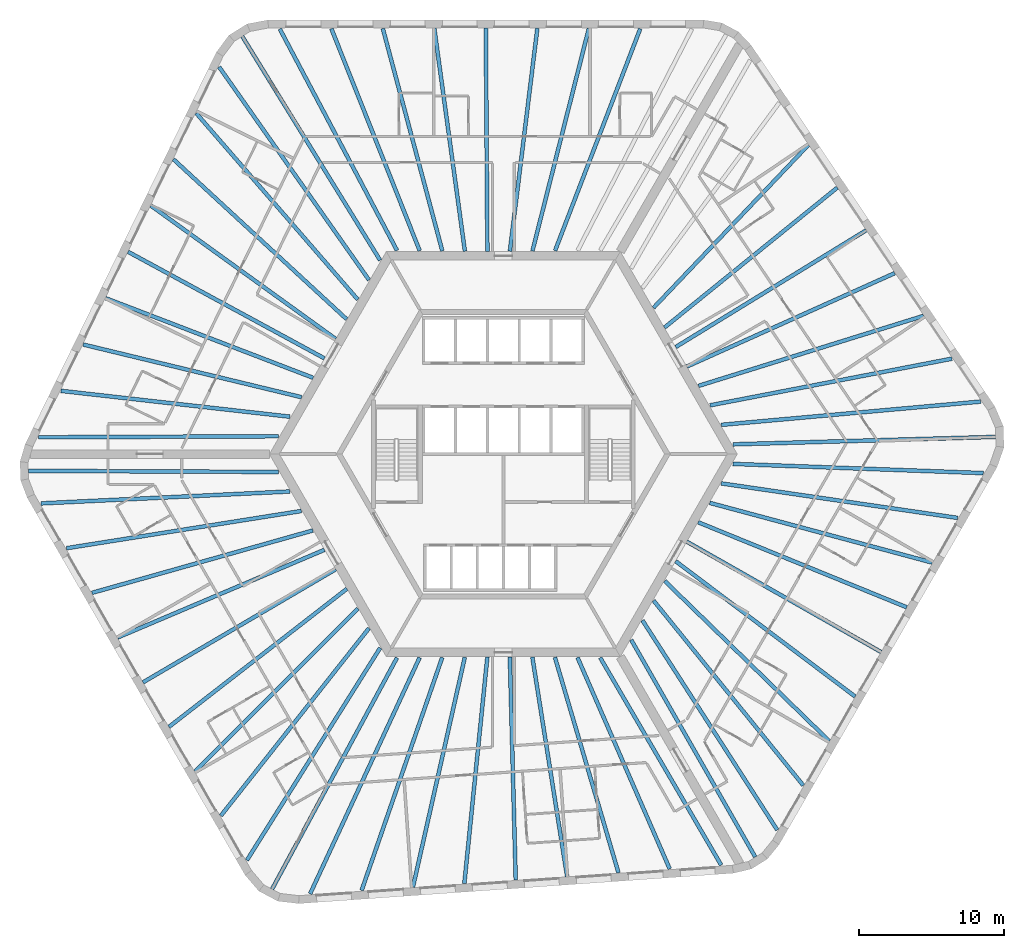
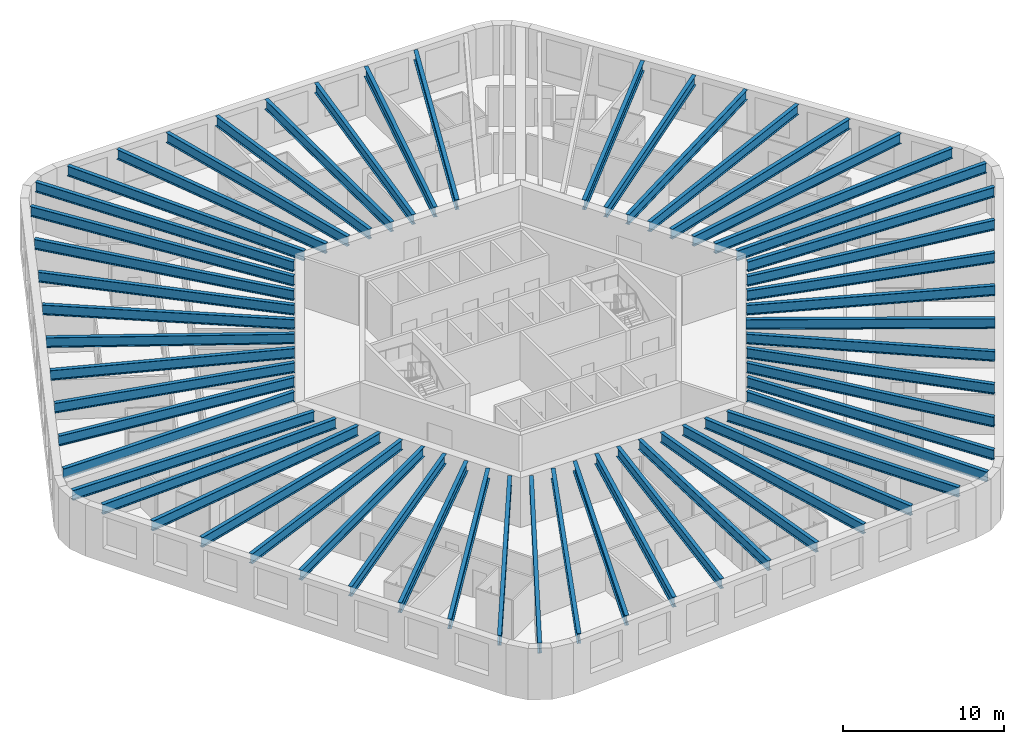
# One storey, part 1 of 11: 56 beams.
"""IFC4 building model written with IfcOpenShell, lengths in metres."""

import ifcopenshell
import ifcopenshell.guid

model = None  # the IFC model being written
_history = None  # IfcOwnerHistory: only IFC2X3 demands one
_inside = {}  # id of a spatial element -> (the spatial element, [elements in it])
_under = {}  # id of a project, library or spatial element -> (it, [spatial elements below it])
_declared = {}  # id of a project -> (the project, [libraries it declares])
_typed = {}  # id of a type object -> (the type object, [elements of that type])
_made_of = {}  # id of a material, layer set ... -> (it, [elements and type objects made of it])


def new_model(schema):
    """Start an empty IFC model of exactly this schema.

    Asked for "IFC4X3", IfcOpenShell would pick the latest addendum, in which some entities
    have other attributes; the version numbers below select the first issue.
    IFC2X3 requires an IfcOwnerHistory on every rooted entity: one is made here for all.
    """
    global model, _history
    if schema == "IFC4X3":
        model = ifcopenshell.file(schema_version=(4, 3, 0, 0))
    else:
        model = ifcopenshell.file(schema=schema)
    _inside.clear()
    _under.clear()
    _declared.clear()
    _typed.clear()
    _made_of.clear()
    _history = None
    if model.schema == "IFC2X3":
        org = make("IfcOrganization", Name="unknown")
        user = make(
            "IfcPersonAndOrganization",
            ThePerson=make("IfcPerson", FamilyName="unknown"),
            TheOrganization=org,
        )
        app = make(
            "IfcApplication",
            ApplicationDeveloper=org,
            Version="unknown",
            ApplicationFullName="unknown",
            ApplicationIdentifier="unknown",
        )
        _history = make(
            "IfcOwnerHistory",
            OwningUser=user,
            OwningApplication=app,
            ChangeAction="ADDED",
            CreationDate=0,
        )
    return model


def make(cls, **values):
    """One entity of the class cls with the attributes given. An attribute that is None is left unset."""
    return model.create_entity(
        cls, **{name: value for name, value in values.items() if value is not None}
    )


def rooted(cls, **values):
    """An entity with a GlobalId (a new one), such as an element, a storey or a relation."""
    return make(cls, GlobalId=ifcopenshell.guid.new(), OwnerHistory=_history, **values)


def si_unit(unit_type, name, prefix=None):
    """IfcSIUnit, for example si_unit("LENGTHUNIT", "METRE", prefix="MILLI")."""
    return make("IfcSIUnit", UnitType=unit_type, Prefix=prefix, Name=name)


def assignment(units):
    """IfcUnitAssignment: the units of a project."""
    return None if units is None else make("IfcUnitAssignment", Units=units)


def point(xyz):
    """IfcCartesianPoint."""
    return None if xyz is None else make("IfcCartesianPoint", Coordinates=xyz)


def direction(xyz):
    """IfcDirection."""
    return None if xyz is None else make("IfcDirection", DirectionRatios=xyz)


def frame(location, z_axis=None, x_axis=None):
    """IfcAxis2Placement3D, a coordinate frame: its origin and axes. An axis left out is left unset."""
    return make(
        "IfcAxis2Placement3D",
        Location=point(location),
        Axis=direction(z_axis),
        RefDirection=direction(x_axis),
    )


def frame_2d(location, x_axis=None):
    """IfcAxis2Placement2D, a coordinate frame in the plane: its origin and x axis."""
    return make(
        "IfcAxis2Placement2D", Location=point(location), RefDirection=direction(x_axis)
    )


def origin():
    """The frame at (0, 0, 0) with its axes left unset."""
    return frame((0.0, 0.0, 0.0))


def origin_2d():
    """The frame at (0, 0) in the plane with its x axis left unset."""
    return frame_2d((0.0, 0.0))


def place(relative_to, where):
    """IfcLocalPlacement: puts the frame where relative to a parent placement (None: the world)."""
    return make(
        "IfcLocalPlacement", PlacementRelTo=relative_to, RelativePlacement=where
    )


def context(
    kind, dimensions, precision=None, world=None, true_north=None, identifier=None
):
    """IfcGeometricRepresentationContext, for example the 3D "Model" context."""
    return make(
        "IfcGeometricRepresentationContext",
        ContextIdentifier=identifier,
        ContextType=kind,
        CoordinateSpaceDimension=dimensions,
        Precision=precision,
        WorldCoordinateSystem=world,
        TrueNorth=true_north,
    )


def subcontext(parent, identifier, kind, view, scale=None):
    """IfcGeometricRepresentationSubContext, for example "Body" below "Model"."""
    return make(
        "IfcGeometricRepresentationSubContext",
        ContextIdentifier=identifier,
        ContextType=kind,
        ParentContext=parent,
        TargetScale=scale,
        TargetView=view,
    )


def project(units=None, contexts=None):
    """IfcProject with its units and contexts."""
    return rooted(
        "IfcProject",
        Name="project",
        RepresentationContexts=contexts,
        UnitsInContext=assignment(units),
    )


def spatial(cls, under=None, at=None, **own):
    """A site, building, storey or space (cls), placed at a placement, below another one or the project."""
    s = rooted(cls, ObjectPlacement=at, **own)
    if under is not None:
        _under.setdefault(under.id(), (under, []))[1].append(s)
    return s


def profile(cls, at=None, kind="AREA", **sizes):
    """A parametric profile (cls). Its sizes go by their IFC names, for example OverallWidth=200.0."""
    return make(cls, ProfileType=kind, Position=at, **sizes)


def i_section(**sizes):
    """IfcIShapeProfileDef."""
    return profile("IfcIShapeProfileDef", **sizes)


def extrude(swept, where, along, depth):
    """IfcExtrudedAreaSolid: the profile swept, set in the frame where, extruded along a direction by depth."""
    return make(
        "IfcExtrudedAreaSolid",
        SweptArea=swept,
        Position=where,
        ExtrudedDirection=direction(along),
        Depth=depth,
    )


def shape(context_of_items, identifier, shape_type, items):
    """IfcShapeRepresentation: the items that make up one representation, for example the "Body"."""
    return make(
        "IfcShapeRepresentation",
        ContextOfItems=context_of_items,
        RepresentationIdentifier=identifier,
        RepresentationType=shape_type,
        Items=items,
    )


def material(Name=None, Category=None):
    """IfcMaterial."""
    return make("IfcMaterial", Name=Name, Category=Category)


def material_profile(
    of_material, cross_section, Name=None, Category=None, Priority=None
):
    """IfcMaterialProfile: a cross section and its material."""
    return make(
        "IfcMaterialProfile",
        Name=Name,
        Material=of_material,
        Profile=cross_section,
        Priority=Priority,
        Category=Category,
    )


def profile_set(profiles, Name=None, composite=None):
    """IfcMaterialProfileSet."""
    return make(
        "IfcMaterialProfileSet",
        Name=Name,
        MaterialProfiles=profiles,
        CompositeProfile=composite,
    )


def made_of(thing, what):
    """Note that an element or type object is made of a material, layer set ...; save() writes the relation."""
    if what is not None:
        _made_of.setdefault(what.id(), (what, []))[1].append(thing)
    return thing


def type_object(cls, material=None, **own):
    """A type object (cls), such as IfcWallType, which elements share."""
    return made_of(rooted(cls, **own), material)


def element(
    cls,
    number,
    at=None,
    inside=None,
    cuts=None,
    type_object=None,
    material=None,
    context=None,
    identifier="Body",
    shape_type=None,
    held_by="IfcProductDefinitionShape",
    body=None,
    shapes=None,
    **own,
):
    """One element of the class cls, such as IfcWall. Its Tag is "e" and its number.

    at: its placement. inside: the storey or other place that contains it. cuts: it is an
    opening in that element (IfcRelVoidsElement). A single representation is given by context,
    identifier, shape_type and body (its items); several are given by shapes. held_by: the class
    of the entity that holds the representations. save() writes the other relations.
    """
    e = rooted(cls, Tag="e%d" % number, ObjectPlacement=at, **own)
    if body is not None:
        shapes = [shape(context, identifier, shape_type, body)]
    if shapes is not None:
        e.Representation = make(held_by, Representations=shapes)
    if inside is not None:
        _inside.setdefault(inside.id(), (inside, []))[1].append(e)
    if cuts is not None:
        rooted(
            "IfcRelVoidsElement", RelatingBuildingElement=cuts, RelatedOpeningElement=e
        )
    if type_object is not None:
        _typed.setdefault(type_object.id(), (type_object, []))[1].append(e)
    return made_of(e, material)


def aggregate(whole, parts):
    """IfcRelAggregates: a whole, such as a stair, and the parts it consists of."""
    return rooted("IfcRelAggregates", RelatingObject=whole, RelatedObjects=parts)


def save(model, path):
    """Write the relations noted so far, then the file.

    IfcRelAggregates (storeys below a building ...), IfcRelContainedInSpatialStructure (elements
    in a storey), IfcRelDefinesByType, IfcRelAssociatesMaterial and IfcRelDeclares: one each for
    every whole, place, type object, material and project.
    """
    for whole, parts in _under.values():
        aggregate(whole, parts)
    for where, things in _inside.values():
        rooted(
            "IfcRelContainedInSpatialStructure",
            RelatedElements=things,
            RelatingStructure=where,
        )
    for kind, things in _typed.values():
        rooted("IfcRelDefinesByType", RelatedObjects=things, RelatingType=kind)
    for what, things in _made_of.values():
        rooted("IfcRelAssociatesMaterial", RelatedObjects=things, RelatingMaterial=what)
    for by, libraries in _declared.values():
        rooted("IfcRelDeclares", RelatingContext=by, RelatedDefinitions=libraries)
    model.write(path)


model = new_model("IFC4")

# Units and contexts
model_context = context("Model", 3, precision=1e-05, world=origin(), true_north=direction((0.0, 1.0)))
body_context = subcontext(model_context, "Body", "Model", "MODEL_VIEW")
ifc_project = project(units=[si_unit("LENGTHUNIT", "METRE"), si_unit("AREAUNIT", "SQUARE_METRE"), si_unit("VOLUMEUNIT", "CUBIC_METRE"), si_unit("PLANEANGLEUNIT", "RADIAN"), si_unit("MASSUNIT", "GRAM", prefix="KILO")], contexts=[model_context])

# Site, building, storey
site_placement = place(None, origin())
site = spatial("IfcSite", under=ifc_project, at=site_placement, CompositionType="ELEMENT")
building_placement = place(site_placement, origin())
building = spatial("IfcBuilding", under=site, at=building_placement, Name="Tarnside Tower", CompositionType="ELEMENT")
storey_placement = place(building_placement, frame((0.0, 0.0, 41.39990234375)))
storey = spatial("IfcBuildingStorey", under=building, at=storey_placement, Name="L07", CompositionType="ELEMENT", Elevation=41.39990234375)

# Beams
ifc_material = material(Name="Steel S355", Category="steel")
ifc_material_profile_1 = material_profile(ifc_material, i_section(OverallWidth=0.26513671875, OverallDepth=0.75390625, WebThickness=0.0126953125, FlangeThickness=0.017578125, FilletRadius=0.0166015625, at=origin_2d()), Name="UB 762x267x147")
ifc_profile_set_1 = profile_set([ifc_material_profile_1], Name="Steel S355")
beam_type_1 = type_object("IfcBeamType", Name="Floor beam UB 762x267x147", PredefinedType="BEAM", material=ifc_profile_set_1)
beam_1_placement = place(storey_placement, frame((2.3525390625, 29.43017578125, 3.373046875), z_axis=(-0.122329629165, -0.992489527314, 0.0), x_axis=(0.992489527314, -0.122329629165, 0.0)))
element("IfcBeam", 1, at=beam_1_placement, inside=storey, type_object=beam_type_1, Name="Floor beam F1.04", PredefinedType="BEAM", context=body_context, shape_type="SweptSolid", body=[
    extrude(i_section(OverallWidth=0.26513671875, OverallDepth=0.75390625, WebThickness=0.0126953125, FlangeThickness=0.017578125, FilletRadius=0.0166015625, at=origin_2d()), origin(), (0.0, 0.0, 1.0), 15.527099609375),
])
beam_2_placement = place(storey_placement, frame((-1.208984375, 29.449951171875, 3.373046875), z_axis=(0.007000128723, -0.999975498799, 0.0), x_axis=(0.999975498799, 0.007000128723, 0.0)))
element("IfcBeam", 2, at=beam_2_placement, inside=storey, type_object=beam_type_1, Name="Floor beam F1.05", PredefinedType="BEAM", context=body_context, shape_type="SweptSolid", body=[
    extrude(i_section(OverallWidth=0.26513671875, OverallDepth=0.75390625, WebThickness=0.0126953125, FlangeThickness=0.017578125, FilletRadius=0.0166015625, at=origin_2d()), origin(), (0.0, 0.0, 1.0), 15.450439453125),
])
beam_3_placement = place(storey_placement, frame((-4.7705078125, 29.43017578125, 3.373046875), z_axis=(0.136000560933, -0.990708760144, 0.0), x_axis=(0.990708760144, 0.136000560933, 0.0)))
element("IfcBeam", 3, at=beam_3_placement, inside=storey, type_object=beam_type_1, Name="Floor beam F1.06", PredefinedType="BEAM", context=body_context, shape_type="SweptSolid", body=[
    extrude(i_section(OverallWidth=0.26513671875, OverallDepth=0.75390625, WebThickness=0.0126953125, FlangeThickness=0.017578125, FilletRadius=0.0166015625, at=origin_2d()), origin(), (0.0, 0.0, 1.0), 15.554931640625),
])
beam_4_placement = place(storey_placement, frame((-24.348876953125, 17.168212890625, 3.373046875), z_axis=(0.811027744825, -0.585007689799, 0.0), x_axis=(0.585007689799, 0.811027744825, 0.0)))
element("IfcBeam", 4, at=beam_4_placement, inside=storey, type_object=beam_type_1, Name="Floor beam F2.04", PredefinedType="BEAM", context=body_context, shape_type="SweptSolid", body=[
    extrude(i_section(OverallWidth=0.26513671875, OverallDepth=0.75390625, WebThickness=0.0126953125, FlangeThickness=0.017578125, FilletRadius=0.0166015625, at=origin_2d()), origin(), (0.0, 0.0, 1.0), 15.731689453125),
])
beam_5_placement = place(storey_placement, frame((-25.92626953125, 13.978271484375, 3.373046875), z_axis=(0.878894567679, -0.477016078245, 0.0), x_axis=(0.477016078245, 0.878894567679, 0.0)))
element("IfcBeam", 5, at=beam_5_placement, inside=storey, type_object=beam_type_1, Name="Floor beam F2.05", PredefinedType="BEAM", context=body_context, shape_type="SweptSolid", body=[
    extrude(i_section(OverallWidth=0.26513671875, OverallDepth=0.75390625, WebThickness=0.0126953125, FlangeThickness=0.017578125, FilletRadius=0.0166015625, at=origin_2d()), origin(), (0.0, 0.0, 1.0), 15.427490234375),
])
beam_6_placement = place(storey_placement, frame((-27.487548828125, 10.77734375, 3.373046875), z_axis=(0.933617702452, -0.358270827264, 0.0), x_axis=(0.358270827264, 0.933617702452, 0.0)))
element("IfcBeam", 6, at=beam_6_placement, inside=storey, type_object=beam_type_1, Name="Floor beam F2.06", PredefinedType="BEAM", context=body_context, shape_type="SweptSolid", body=[
    extrude(i_section(OverallWidth=0.26513671875, OverallDepth=0.75390625, WebThickness=0.0126953125, FlangeThickness=0.017578125, FilletRadius=0.0166015625, at=origin_2d()), origin(), (0.0, 0.0, 1.0), 15.363037109375),
])
beam_7_placement = place(storey_placement, frame((-29.029296875, 7.572509765625, 3.373046875), z_axis=(0.972101750991, -0.234559556873, 0.0), x_axis=(0.234559556873, 0.972101750991, 0.0)))
element("IfcBeam", 7, at=beam_7_placement, inside=storey, type_object=beam_type_1, Name="Floor beam F2.07", PredefinedType="BEAM", context=body_context, shape_type="SweptSolid", body=[
    extrude(i_section(OverallWidth=0.26513671875, OverallDepth=0.75390625, WebThickness=0.0126953125, FlangeThickness=0.017578125, FilletRadius=0.0166015625, at=origin_2d()), origin(), (0.0, 0.0, 1.0), 15.522216796875),
])
beam_8_placement = place(storey_placement, frame((-26.66357421875, -12.677734375, 3.373046875), z_axis=(0.920684021494, 0.390308765679, 0.0), x_axis=(-0.390308765679, 0.920684021494, 0.0)))
element("IfcBeam", 8, at=beam_8_placement, inside=storey, type_object=beam_type_1, Name="Floor beam F3.04", PredefinedType="BEAM", context=body_context, shape_type="SweptSolid", body=[
    extrude(i_section(OverallWidth=0.26513671875, OverallDepth=0.75390625, WebThickness=0.0126953125, FlangeThickness=0.017578125, FilletRadius=0.0166015625, at=origin_2d()), origin(), (0.0, 0.0, 1.0), 15.52685546875),
])
beam_9_placement = place(storey_placement, frame((-24.89990234375, -15.772216796875, 3.373046875), z_axis=(0.862497502004, 0.506061319443, 0.0), x_axis=(-0.506061319443, 0.862497502004, 0.0)))
element("IfcBeam", 9, at=beam_9_placement, inside=storey, type_object=beam_type_1, Name="Floor beam F3.05", PredefinedType="BEAM", context=body_context, shape_type="SweptSolid", body=[
    extrude(i_section(OverallWidth=0.26513671875, OverallDepth=0.75390625, WebThickness=0.0126953125, FlangeThickness=0.017578125, FilletRadius=0.0166015625, at=origin_2d()), origin(), (0.0, 0.0, 1.0), 15.450439453125),
])
beam_10_placement = place(storey_placement, frame((-23.10205078125, -18.846435546875, 3.373046875), z_axis=(0.789983963813, 0.613127504617, 0.0), x_axis=(-0.613127504617, 0.789983963813, 0.0)))
element("IfcBeam", 10, at=beam_10_placement, inside=storey, type_object=beam_type_1, Name="Floor beam F3.06", PredefinedType="BEAM", context=body_context, shape_type="SweptSolid", body=[
    extrude(i_section(OverallWidth=0.26513671875, OverallDepth=0.75390625, WebThickness=0.0126953125, FlangeThickness=0.017578125, FilletRadius=0.0166015625, at=origin_2d()), origin(), (0.0, 0.0, 1.0), 15.554931640625),
])
beam_11_placement = place(storey_placement, frame((-2.693603515625, -29.6708984375, 3.373046875), z_axis=(0.101123115756, 0.994873919379, 0.0), x_axis=(-0.994873919379, 0.101123115756, 0.0)))
element("IfcBeam", 11, at=beam_11_placement, inside=storey, type_object=beam_type_1, Name="Floor beam F4.04", PredefinedType="BEAM", context=body_context, shape_type="SweptSolid", body=[
    extrude(i_section(OverallWidth=0.26513671875, OverallDepth=0.75390625, WebThickness=0.0126953125, FlangeThickness=0.017578125, FilletRadius=0.0166015625, at=origin_2d()), origin(), (0.0, 0.0, 1.0), 15.7314453125),
])
beam_12_placement = place(storey_placement, frame((0.857666015625, -29.44189453125, 3.373046875), z_axis=(-0.026333316788, 0.999653218085, 0.0), x_axis=(-0.999653218085, -0.026333316788, 0.0)))
element("IfcBeam", 12, at=beam_12_placement, inside=storey, type_object=beam_type_1, Name="Floor beam F4.05", PredefinedType="BEAM", context=body_context, shape_type="SweptSolid", body=[
    extrude(i_section(OverallWidth=0.26513671875, OverallDepth=0.75390625, WebThickness=0.0126953125, FlangeThickness=0.017578125, FilletRadius=0.0166015625, at=origin_2d()), origin(), (0.0, 0.0, 1.0), 15.42724609375),
])
beam_13_placement = place(storey_placement, frame((4.41015625, -29.193603515625, 3.373046875), z_axis=(-0.156513375907, 0.98767583911, 0.0), x_axis=(-0.98767583911, -0.156513375907, 0.0)))
element("IfcBeam", 13, at=beam_13_placement, inside=storey, type_object=beam_type_1, Name="Floor beam F4.06", PredefinedType="BEAM", context=body_context, shape_type="SweptSolid", body=[
    extrude(i_section(OverallWidth=0.26513671875, OverallDepth=0.75390625, WebThickness=0.0126953125, FlangeThickness=0.017578125, FilletRadius=0.0166015625, at=origin_2d()), origin(), (0.0, 0.0, 1.0), 15.36328125),
])
beam_14_placement = place(storey_placement, frame((7.956787109375, -28.926513671875, 3.373046875), z_axis=(-0.282920694328, 0.959143305623, 0.0), x_axis=(-0.959143305623, -0.282920694328, 0.0)))
element("IfcBeam", 14, at=beam_14_placement, inside=storey, type_object=beam_type_1, Name="Floor beam F4.07", PredefinedType="BEAM", context=body_context, shape_type="SweptSolid", body=[
    extrude(i_section(OverallWidth=0.26513671875, OverallDepth=0.75390625, WebThickness=0.0126953125, FlangeThickness=0.017578125, FilletRadius=0.0166015625, at=origin_2d()), origin(), (0.0, 0.0, 1.0), 15.5224609375),
])
beam_15_placement = place(storey_placement, frame((24.31103515625, -16.75244140625, 3.373046875), z_axis=(-0.798361152727, 0.602178935049, 0.0), x_axis=(-0.602178935049, -0.798361152727, 0.0)))
element("IfcBeam", 15, at=beam_15_placement, inside=storey, type_object=beam_type_1, Name="Floor beam F5.04", PredefinedType="BEAM", context=body_context, shape_type="SweptSolid", body=[
    extrude(i_section(OverallWidth=0.26513671875, OverallDepth=0.75390625, WebThickness=0.0126953125, FlangeThickness=0.017578125, FilletRadius=0.0166015625, at=origin_2d()), origin(), (0.0, 0.0, 1.0), 15.527099609375),
])
beam_16_placement = place(storey_placement, frame((26.10888671875, -13.677978515625, 3.373046875), z_axis=(-0.869502520992, 0.493928502911, 0.0), x_axis=(-0.493928502911, -0.869502520992, 0.0)))
element("IfcBeam", 16, at=beam_16_placement, inside=storey, type_object=beam_type_1, Name="Floor beam F5.05", PredefinedType="BEAM", context=body_context, shape_type="SweptSolid", body=[
    extrude(i_section(OverallWidth=0.26513671875, OverallDepth=0.75390625, WebThickness=0.0126953125, FlangeThickness=0.017578125, FilletRadius=0.0166015625, at=origin_2d()), origin(), (0.0, 0.0, 1.0), 15.4501953125),
])
beam_17_placement = place(storey_placement, frame((27.87255859375, -10.58349609375, 3.373046875), z_axis=(-0.925981621163, 0.377568586177, 0.0), x_axis=(-0.377568586177, -0.925981621163, 0.0)))
element("IfcBeam", 17, at=beam_17_placement, inside=storey, type_object=beam_type_1, Name="Floor beam F5.06", PredefinedType="BEAM", context=body_context, shape_type="SweptSolid", body=[
    extrude(i_section(OverallWidth=0.26513671875, OverallDepth=0.75390625, WebThickness=0.0126953125, FlangeThickness=0.017578125, FilletRadius=0.0166015625, at=origin_2d()), origin(), (0.0, 0.0, 1.0), 15.554931640625),
])
beam_18_placement = place(storey_placement, frame((27.04248046875, 12.502685546875, 3.373046875), z_axis=(-0.912146413919, -0.409864513681, 0.0), x_axis=(0.409864513681, -0.912146413919, 0.0)))
element("IfcBeam", 18, at=beam_18_placement, inside=storey, type_object=beam_type_1, Name="Floor beam F6.04", PredefinedType="BEAM", context=body_context, shape_type="SweptSolid", body=[
    extrude(i_section(OverallWidth=0.26513671875, OverallDepth=0.75390625, WebThickness=0.0126953125, FlangeThickness=0.017578125, FilletRadius=0.0166015625, at=origin_2d()), origin(), (0.0, 0.0, 1.0), 15.7314453125),
])
beam_19_placement = place(storey_placement, frame((25.068603515625, 15.463623046875, 3.373046875), z_axis=(-0.852558490017, -0.522631821744, 0.0), x_axis=(0.522631821744, -0.852558490017, 0.0)))
element("IfcBeam", 19, at=beam_19_placement, inside=storey, type_object=beam_type_1, Name="Floor beam F6.05", PredefinedType="BEAM", context=body_context, shape_type="SweptSolid", body=[
    extrude(i_section(OverallWidth=0.26513671875, OverallDepth=0.75390625, WebThickness=0.0126953125, FlangeThickness=0.017578125, FilletRadius=0.0166015625, at=origin_2d()), origin(), (0.0, 0.0, 1.0), 15.42724609375),
])
beam_20_placement = place(storey_placement, frame((23.0771484375, 18.416259765625, 3.373046875), z_axis=(-0.777079423039, -0.629402550272, 0.0), x_axis=(0.629402550272, -0.777079423039, 0.0)))
element("IfcBeam", 20, at=beam_20_placement, inside=storey, type_object=beam_type_1, Name="Floor beam F6.06", PredefinedType="BEAM", context=body_context, shape_type="SweptSolid", body=[
    extrude(i_section(OverallWidth=0.26513671875, OverallDepth=0.75390625, WebThickness=0.0126953125, FlangeThickness=0.017578125, FilletRadius=0.0166015625, at=origin_2d()), origin(), (0.0, 0.0, 1.0), 15.36328125),
])
beam_21_placement = place(storey_placement, frame((21.072509765625, 21.35400390625, 3.373046875), z_axis=(-0.689174694318, -0.724595225427, 0.0), x_axis=(0.724595225427, -0.689174694318, 0.0)))
element("IfcBeam", 21, at=beam_21_placement, inside=storey, type_object=beam_type_1, Name="Floor beam F6.07", PredefinedType="BEAM", context=body_context, shape_type="SweptSolid", body=[
    extrude(i_section(OverallWidth=0.26513671875, OverallDepth=0.75390625, WebThickness=0.0126953125, FlangeThickness=0.017578125, FilletRadius=0.0166015625, at=origin_2d()), origin(), (0.0, 0.0, 1.0), 15.522216796875),
])
ifc_material_profile_2 = material_profile(ifc_material, i_section(OverallWidth=0.2666015625, OverallDepth=0.76220703125, WebThickness=0.014404296875, FlangeThickness=0.021484375, FilletRadius=0.0166015625, at=origin_2d()), Name="UB 762x267x173")
ifc_profile_set_2 = profile_set([ifc_material_profile_2], Name="Steel S355")
beam_type_2 = type_object("IfcBeamType", Name="Floor beam UB 762x267x173", PredefinedType="BEAM", material=ifc_profile_set_2)
beam_22_placement = place(storey_placement, frame((9.4619140625, 29.39404296875, 3.368896484375), z_axis=(-0.358299847269, -0.933606565662, 0.0), x_axis=(0.933606565662, -0.358299847269, 0.0)))
element("IfcBeam", 22, at=beam_22_placement, inside=storey, type_object=beam_type_2, Name="Floor beam F1.02", PredefinedType="BEAM", context=body_context, shape_type="SweptSolid", body=[
    extrude(i_section(OverallWidth=0.2666015625, OverallDepth=0.76220703125, WebThickness=0.014404296875, FlangeThickness=0.021484375, FilletRadius=0.0166015625, at=origin_2d()), origin(), (0.0, 0.0, 1.0), 16.428955078125),
])
beam_23_placement = place(storey_placement, frame((5.909423828125, 29.4111328125, 3.368896484375), z_axis=(-0.245747281389, -0.969333933013, 0.0), x_axis=(0.969333933013, -0.245747281389, 0.0)))
element("IfcBeam", 23, at=beam_23_placement, inside=storey, type_object=beam_type_2, Name="Floor beam F1.03", PredefinedType="BEAM", context=body_context, shape_type="SweptSolid", body=[
    extrude(i_section(OverallWidth=0.2666015625, OverallDepth=0.76220703125, WebThickness=0.014404296875, FlangeThickness=0.021484375, FilletRadius=0.0166015625, at=origin_2d()), origin(), (0.0, 0.0, 1.0), 15.858642578125),
])
beam_24_placement = place(storey_placement, frame((-8.3271484375, 29.411376953125, 3.368896484375), z_axis=(0.258447478572, -0.966025310652, 0.0), x_axis=(0.966025310652, 0.258447478572, 0.0)))
element("IfcBeam", 24, at=beam_24_placement, inside=storey, type_object=beam_type_2, Name="Floor beam F1.07", PredefinedType="BEAM", context=body_context, shape_type="SweptSolid", body=[
    extrude(i_section(OverallWidth=0.2666015625, OverallDepth=0.76220703125, WebThickness=0.014404296875, FlangeThickness=0.021484375, FilletRadius=0.0166015625, at=origin_2d()), origin(), (0.0, 0.0, 1.0), 15.91357421875),
])
beam_25_placement = place(storey_placement, frame((-11.87939453125, 29.394287109375, 3.368896484375), z_axis=(0.369638204477, -0.929175762593, 0.0), x_axis=(0.929175762593, 0.369638204477, 0.0)))
element("IfcBeam", 25, at=beam_25_placement, inside=storey, type_object=beam_type_2, Name="Floor beam F1.08", PredefinedType="BEAM", context=body_context, shape_type="SweptSolid", body=[
    extrude(i_section(OverallWidth=0.2666015625, OverallDepth=0.76220703125, WebThickness=0.014404296875, FlangeThickness=0.021484375, FilletRadius=0.0166015625, at=origin_2d()), origin(), (0.0, 0.0, 1.0), 16.507568359375),
])
beam_26_placement = place(storey_placement, frame((-15.44580078125, 29.37939453125, 3.368896484375), z_axis=(0.467741993634, -0.883865050441, 0.0), x_axis=(0.883865050441, 0.467741993634, 0.0)))
element("IfcBeam", 26, at=beam_26_placement, inside=storey, type_object=beam_type_2, Name="Floor beam F1.09", PredefinedType="BEAM", context=body_context, shape_type="SweptSolid", body=[
    extrude(i_section(OverallWidth=0.2666015625, OverallDepth=0.76220703125, WebThickness=0.014404296875, FlangeThickness=0.021484375, FilletRadius=0.0166015625, at=origin_2d()), origin(), (0.0, 0.0, 1.0), 17.320068359375),
])
beam_27_placement = place(storey_placement, frame((-18.042236328125, 28.8701171875, 3.368896484375), z_axis=(0.524382977035, -0.851482526771, 0.0), x_axis=(0.851482526771, 0.524382977035, 0.0)))
element("IfcBeam", 27, at=beam_27_placement, inside=storey, type_object=beam_type_2, Name="Floor beam C1", PredefinedType="BEAM", context=body_context, shape_type="SweptSolid", body=[
    extrude(i_section(OverallWidth=0.2666015625, OverallDepth=0.76220703125, WebThickness=0.014404296875, FlangeThickness=0.021484375, FilletRadius=0.0166015625, at=origin_2d()), origin(), (0.0, 0.0, 1.0), 18.1728515625),
])
beam_28_placement = place(storey_placement, frame((-19.638671875, 26.75537109375, 3.368896484375), z_axis=(0.575411427849, -0.817864101609, 0.0), x_axis=(0.817864101609, 0.575411427849, 0.0)))
element("IfcBeam", 28, at=beam_28_placement, inside=storey, type_object=beam_type_2, Name="Floor beam F2.01", PredefinedType="BEAM", context=body_context, shape_type="SweptSolid", body=[
    extrude(i_section(OverallWidth=0.2666015625, OverallDepth=0.76220703125, WebThickness=0.014404296875, FlangeThickness=0.021484375, FilletRadius=0.0166015625, at=origin_2d()), origin(), (0.0, 0.0, 1.0), 18.00048828125),
])
beam_29_placement = place(storey_placement, frame((-21.21630859375, 23.554931640625, 3.368896484375), z_axis=(0.654980748073, -0.755645564834, 0.0), x_axis=(0.755645564834, 0.654980748073, 0.0)))
element("IfcBeam", 29, at=beam_29_placement, inside=storey, type_object=beam_type_2, Name="Floor beam F2.02", PredefinedType="BEAM", context=body_context, shape_type="SweptSolid", body=[
    extrude(i_section(OverallWidth=0.2666015625, OverallDepth=0.76220703125, WebThickness=0.014404296875, FlangeThickness=0.021484375, FilletRadius=0.0166015625, at=origin_2d()), origin(), (0.0, 0.0, 1.0), 17.0302734375),
])
beam_30_placement = place(storey_placement, frame((-22.7890625, 20.368408203125, 3.368896484375), z_axis=(0.734715474517, -0.678375391288, 0.0), x_axis=(0.678375391288, 0.734715474517, 0.0)))
element("IfcBeam", 30, at=beam_30_placement, inside=storey, type_object=beam_type_2, Name="Floor beam F2.03", PredefinedType="BEAM", context=body_context, shape_type="SweptSolid", body=[
    extrude(i_section(OverallWidth=0.2666015625, OverallDepth=0.76220703125, WebThickness=0.014404296875, FlangeThickness=0.021484375, FilletRadius=0.0166015625, at=origin_2d()), origin(), (0.0, 0.0, 1.0), 16.2802734375),
])
beam_31_placement = place(storey_placement, frame((-30.570556640625, 4.372802734375, 3.368896484375), z_axis=(0.993687302776, -0.112185312326, 0.0), x_axis=(0.112185312326, 0.993687302776, 0.0)))
element("IfcBeam", 31, at=beam_31_placement, inside=storey, type_object=beam_type_2, Name="Floor beam F2.08", PredefinedType="BEAM", context=body_context, shape_type="SweptSolid", body=[
    extrude(i_section(OverallWidth=0.2666015625, OverallDepth=0.76220703125, WebThickness=0.014404296875, FlangeThickness=0.021484375, FilletRadius=0.0166015625, at=origin_2d()), origin(), (0.0, 0.0, 1.0), 15.934326171875),
])
beam_32_placement = place(storey_placement, frame((-32.119384765625, 1.162109375, 3.368896484375), z_axis=(0.999990508787, 0.004356872304, 0.0), x_axis=(-0.004356872304, 0.999990508787, 0.0)))
element("IfcBeam", 32, at=beam_32_placement, inside=storey, type_object=beam_type_2, Name="Floor beam F2.09", PredefinedType="BEAM", context=body_context, shape_type="SweptSolid", body=[
    extrude(i_section(OverallWidth=0.2666015625, OverallDepth=0.76220703125, WebThickness=0.014404296875, FlangeThickness=0.021484375, FilletRadius=0.0166015625, at=origin_2d()), origin(), (0.0, 0.0, 1.0), 16.586669921875),
])
beam_33_placement = place(storey_placement, frame((-32.80712890625, -1.1572265625, 3.368896484375), z_axis=(0.999990027056, -0.004466070929, 0.0), x_axis=(0.004466070929, 0.999990027056, 0.0)))
element("IfcBeam", 33, at=beam_33_placement, inside=storey, type_object=beam_type_2, Name="Floor beam C2", PredefinedType="BEAM", context=body_context, shape_type="SweptSolid", body=[
    extrude(i_section(OverallWidth=0.2666015625, OverallDepth=0.76220703125, WebThickness=0.014404296875, FlangeThickness=0.021484375, FilletRadius=0.0166015625, at=origin_2d()), origin(), (0.0, 0.0, 1.0), 17.2744140625),
])
beam_34_placement = place(storey_placement, frame((-31.95703125, -3.406494140625, 3.368896484375), z_axis=(0.998853818522, 0.047864905982, 0.0), x_axis=(-0.047864905982, 0.998853818522, 0.0)))
element("IfcBeam", 34, at=beam_34_placement, inside=storey, type_object=beam_type_2, Name="Floor beam F3.01", PredefinedType="BEAM", context=body_context, shape_type="SweptSolid", body=[
    extrude(i_section(OverallWidth=0.2666015625, OverallDepth=0.76220703125, WebThickness=0.014404296875, FlangeThickness=0.021484375, FilletRadius=0.0166015625, at=origin_2d()), origin(), (0.0, 0.0, 1.0), 17.2197265625),
])
beam_35_placement = place(storey_placement, frame((-30.18701171875, -6.502685546875, 3.368896484375), z_axis=(0.987678477078, 0.156496728136, 0.0), x_axis=(-0.156496728136, 0.987678477078, 0.0)))
element("IfcBeam", 35, at=beam_35_placement, inside=storey, type_object=beam_type_2, Name="Floor beam F3.02", PredefinedType="BEAM", context=body_context, shape_type="SweptSolid", body=[
    extrude(i_section(OverallWidth=0.2666015625, OverallDepth=0.76220703125, WebThickness=0.014404296875, FlangeThickness=0.021484375, FilletRadius=0.0166015625, at=origin_2d()), origin(), (0.0, 0.0, 1.0), 16.4287109375),
])
beam_36_placement = place(storey_placement, frame((-28.425537109375, -9.587890625, 3.368896484375), z_axis=(0.962342240503, 0.271840784547, 0.0), x_axis=(-0.271840784547, 0.962342240503, 0.0)))
element("IfcBeam", 36, at=beam_36_placement, inside=storey, type_object=beam_type_2, Name="Floor beam F3.03", PredefinedType="BEAM", context=body_context, shape_type="SweptSolid", body=[
    extrude(i_section(OverallWidth=0.2666015625, OverallDepth=0.76220703125, WebThickness=0.014404296875, FlangeThickness=0.021484375, FilletRadius=0.0166015625, at=origin_2d()), origin(), (0.0, 0.0, 1.0), 15.858642578125),
])
beam_37_placement = place(storey_placement, frame((-21.307373046875, -21.917236328125, 3.368896484375), z_axis=(0.707367544857, 0.706845921318, 0.0), x_axis=(-0.706845921318, 0.707367544857, 0.0)))
element("IfcBeam", 37, at=beam_37_placement, inside=storey, type_object=beam_type_2, Name="Floor beam F3.07", PredefinedType="BEAM", context=body_context, shape_type="SweptSolid", body=[
    extrude(i_section(OverallWidth=0.2666015625, OverallDepth=0.76220703125, WebThickness=0.014404296875, FlangeThickness=0.021484375, FilletRadius=0.0166015625, at=origin_2d()), origin(), (0.0, 0.0, 1.0), 15.913330078125),
])
beam_38_placement = place(storey_placement, frame((-19.516357421875, -24.985107421875, 3.368896484375), z_axis=(0.619872995007, 0.784702153725, 0.0), x_axis=(-0.784702153725, 0.619872995007, 0.0)))
element("IfcBeam", 38, at=beam_38_placement, inside=storey, type_object=beam_type_2, Name="Floor beam F3.08", PredefinedType="BEAM", context=body_context, shape_type="SweptSolid", body=[
    extrude(i_section(OverallWidth=0.2666015625, OverallDepth=0.76220703125, WebThickness=0.014404296875, FlangeThickness=0.021484375, FilletRadius=0.0166015625, at=origin_2d()), origin(), (0.0, 0.0, 1.0), 16.507568359375),
])
beam_39_placement = place(storey_placement, frame((-17.72021484375, -28.066162109375, 3.368896484375), z_axis=(0.531583085704, 0.847006152866, 0.0), x_axis=(-0.847006152866, 0.531583085704, 0.0)))
element("IfcBeam", 39, at=beam_39_placement, inside=storey, type_object=beam_type_2, Name="Floor beam F3.09", PredefinedType="BEAM", context=body_context, shape_type="SweptSolid", body=[
    extrude(i_section(OverallWidth=0.2666015625, OverallDepth=0.76220703125, WebThickness=0.014404296875, FlangeThickness=0.021484375, FilletRadius=0.0166015625, at=origin_2d()), origin(), (0.0, 0.0, 1.0), 17.320068359375),
])
beam_40_placement = place(storey_placement, frame((-15.981201171875, -30.060302734375, 3.368896484375), z_axis=(0.475208200571, 0.879873380726, 0.0), x_axis=(-0.879873380726, 0.475208200571, 0.0)))
element("IfcBeam", 40, at=beam_40_placement, inside=storey, type_object=beam_type_2, Name="Floor beam C3", PredefinedType="BEAM", context=body_context, shape_type="SweptSolid", body=[
    extrude(i_section(OverallWidth=0.2666015625, OverallDepth=0.76220703125, WebThickness=0.014404296875, FlangeThickness=0.021484375, FilletRadius=0.0166015625, at=origin_2d()), origin(), (0.0, 0.0, 1.0), 18.173095703125),
])
beam_41_placement = place(storey_placement, frame((-13.3515625, -30.38525390625, 3.368896484375), z_axis=(0.42059199668, 0.907249895193, 0.0), x_axis=(-0.907249895193, 0.42059199668, 0.0)))
element("IfcBeam", 41, at=beam_41_placement, inside=storey, type_object=beam_type_2, Name="Floor beam F4.01", PredefinedType="BEAM", context=body_context, shape_type="SweptSolid", body=[
    extrude(i_section(OverallWidth=0.2666015625, OverallDepth=0.76220703125, WebThickness=0.014404296875, FlangeThickness=0.021484375, FilletRadius=0.0166015625, at=origin_2d()), origin(), (0.0, 0.0, 1.0), 18.000244140625),
])
beam_42_placement = place(storey_placement, frame((-9.791015625, -30.151123046875, 3.368896484375), z_axis=(0.326912128872, 0.945054739153, 0.0), x_axis=(-0.945054739153, 0.326912128872, 0.0)))
element("IfcBeam", 42, at=beam_42_placement, inside=storey, type_object=beam_type_2, Name="Floor beam F4.02", PredefinedType="BEAM", context=body_context, shape_type="SweptSolid", body=[
    extrude(i_section(OverallWidth=0.2666015625, OverallDepth=0.76220703125, WebThickness=0.014404296875, FlangeThickness=0.021484375, FilletRadius=0.0166015625, at=origin_2d()), origin(), (0.0, 0.0, 1.0), 17.0302734375),
])
beam_43_placement = place(storey_placement, frame((-6.2451171875, -29.920166015625, 3.368896484375), z_axis=(0.220139818673, 0.975468328668, 0.0), x_axis=(-0.975468328668, 0.220139818673, 0.0)))
element("IfcBeam", 43, at=beam_43_placement, inside=storey, type_object=beam_type_2, Name="Floor beam F4.03", PredefinedType="BEAM", context=body_context, shape_type="SweptSolid", body=[
    extrude(i_section(OverallWidth=0.2666015625, OverallDepth=0.76220703125, WebThickness=0.014404296875, FlangeThickness=0.021484375, FilletRadius=0.0166015625, at=origin_2d()), origin(), (0.0, 0.0, 1.0), 16.280517578125),
])
beam_44_placement = place(storey_placement, frame((11.498291015625, -28.6611328125, 3.368896484375), z_axis=(-0.399695682658, 0.916647893831, 0.0), x_axis=(-0.916647893831, -0.399695682658, 0.0)))
element("IfcBeam", 44, at=beam_44_placement, inside=storey, type_object=beam_type_2, Name="Floor beam F4.08", PredefinedType="BEAM", context=body_context, shape_type="SweptSolid", body=[
    extrude(i_section(OverallWidth=0.2666015625, OverallDepth=0.76220703125, WebThickness=0.014404296875, FlangeThickness=0.021484375, FilletRadius=0.0166015625, at=origin_2d()), origin(), (0.0, 0.0, 1.0), 15.934326171875),
])
beam_45_placement = place(storey_placement, frame((15.05322265625, -28.3974609375, 3.368896484375), z_axis=(-0.503758455062, 0.86384455717, 0.0), x_axis=(-0.86384455717, -0.503758455062, 0.0)))
element("IfcBeam", 45, at=beam_45_placement, inside=storey, type_object=beam_type_2, Name="Floor beam F4.09", PredefinedType="BEAM", context=body_context, shape_type="SweptSolid", body=[
    extrude(i_section(OverallWidth=0.2666015625, OverallDepth=0.76220703125, WebThickness=0.014404296875, FlangeThickness=0.021484375, FilletRadius=0.0166015625, at=origin_2d()), origin(), (0.0, 0.0, 1.0), 16.586669921875),
])
beam_46_placement = place(storey_placement, frame((17.40576171875, -27.833251953125, 3.368896484375), z_axis=(-0.496126762138, 0.868250099851, 0.0), x_axis=(-0.868250099851, -0.496126762138, 0.0)))
element("IfcBeam", 46, at=beam_46_placement, inside=storey, type_object=beam_type_2, Name="Floor beam C4", PredefinedType="BEAM", context=body_context, shape_type="SweptSolid", body=[
    extrude(i_section(OverallWidth=0.2666015625, OverallDepth=0.76220703125, WebThickness=0.014404296875, FlangeThickness=0.021484375, FilletRadius=0.0166015625, at=origin_2d()), origin(), (0.0, 0.0, 1.0), 17.2744140625),
])
beam_47_placement = place(storey_placement, frame((18.9287109375, -25.972412109375, 3.368896484375), z_axis=(-0.540872954463, 0.841104302171, 0.0), x_axis=(-0.841104302171, -0.540872954463, 0.0)))
element("IfcBeam", 47, at=beam_47_placement, inside=storey, type_object=beam_type_2, Name="Floor beam F5.01", PredefinedType="BEAM", context=body_context, shape_type="SweptSolid", body=[
    extrude(i_section(OverallWidth=0.2666015625, OverallDepth=0.76220703125, WebThickness=0.014404296875, FlangeThickness=0.021484375, FilletRadius=0.0166015625, at=origin_2d()), origin(), (0.0, 0.0, 1.0), 17.2197265625),
])
beam_48_placement = place(storey_placement, frame((20.72509765625, -22.89111328125, 3.368896484375), z_axis=(-0.62939015525, 0.777089462336, 0.0), x_axis=(-0.777089462336, -0.62939015525, 0.0)))
element("IfcBeam", 48, at=beam_48_placement, inside=storey, type_object=beam_type_2, Name="Floor beam F5.02", PredefinedType="BEAM", context=body_context, shape_type="SweptSolid", body=[
    extrude(i_section(OverallWidth=0.2666015625, OverallDepth=0.76220703125, WebThickness=0.014404296875, FlangeThickness=0.021484375, FilletRadius=0.0166015625, at=origin_2d()), origin(), (0.0, 0.0, 1.0), 16.4287109375),
])
beam_49_placement = place(storey_placement, frame((22.51611328125, -19.8232421875, 3.368896484375), z_axis=(-0.716594696052, 0.697489814686, 0.0), x_axis=(-0.697489814686, -0.716594696052, 0.0)))
element("IfcBeam", 49, at=beam_49_placement, inside=storey, type_object=beam_type_2, Name="Floor beam F5.03", PredefinedType="BEAM", context=body_context, shape_type="SweptSolid", body=[
    extrude(i_section(OverallWidth=0.2666015625, OverallDepth=0.76220703125, WebThickness=0.014404296875, FlangeThickness=0.021484375, FilletRadius=0.0166015625, at=origin_2d()), origin(), (0.0, 0.0, 1.0), 15.858642578125),
])
beam_50_placement = place(storey_placement, frame((29.634521484375, -7.494140625, 3.368896484375), z_axis=(-0.965827851395, 0.259184415946, 0.0), x_axis=(-0.259184415946, -0.965827851395, 0.0)))
element("IfcBeam", 50, at=beam_50_placement, inside=storey, type_object=beam_type_2, Name="Floor beam F5.07", PredefinedType="BEAM", context=body_context, shape_type="SweptSolid", body=[
    extrude(i_section(OverallWidth=0.2666015625, OverallDepth=0.76220703125, WebThickness=0.014404296875, FlangeThickness=0.021484375, FilletRadius=0.0166015625, at=origin_2d()), origin(), (0.0, 0.0, 1.0), 15.913330078125),
])
beam_51_placement = place(storey_placement, frame((31.39599609375, -4.4091796875, 3.368896484375), z_axis=(-0.989507887412, 0.144478859177, 0.0), x_axis=(-0.144478859177, -0.989507887412, 0.0)))
element("IfcBeam", 51, at=beam_51_placement, inside=storey, type_object=beam_type_2, Name="Floor beam F5.08", PredefinedType="BEAM", context=body_context, shape_type="SweptSolid", body=[
    extrude(i_section(OverallWidth=0.2666015625, OverallDepth=0.76220703125, WebThickness=0.014404296875, FlangeThickness=0.021484375, FilletRadius=0.0166015625, at=origin_2d()), origin(), (0.0, 0.0, 1.0), 16.507568359375),
])
beam_52_placement = place(storey_placement, frame((33.166259765625, -1.31298828125, 3.368896484375), z_axis=(-0.999320941149, 0.036846391708, 0.0), x_axis=(-0.036846391708, -0.999320941149, 0.0)))
element("IfcBeam", 52, at=beam_52_placement, inside=storey, type_object=beam_type_2, Name="Floor beam F5.09", PredefinedType="BEAM", context=body_context, shape_type="SweptSolid", body=[
    extrude(i_section(OverallWidth=0.2666015625, OverallDepth=0.76220703125, WebThickness=0.014404296875, FlangeThickness=0.021484375, FilletRadius=0.0166015625, at=origin_2d()), origin(), (0.0, 0.0, 1.0), 17.320068359375),
])
beam_53_placement = place(storey_placement, frame((34.0234375, 1.18994140625, 3.368896484375), z_axis=(-0.999597013499, -0.028386803343, 0.0), x_axis=(0.028386803343, -0.999597013499, 0.0)))
element("IfcBeam", 53, at=beam_53_placement, inside=storey, type_object=beam_type_2, Name="Floor beam C5", PredefinedType="BEAM", context=body_context, shape_type="SweptSolid", body=[
    extrude(i_section(OverallWidth=0.2666015625, OverallDepth=0.76220703125, WebThickness=0.014404296875, FlangeThickness=0.021484375, FilletRadius=0.0166015625, at=origin_2d()), origin(), (0.0, 0.0, 1.0), 18.1728515625),
])
beam_54_placement = place(storey_placement, frame((32.990234375, 3.6298828125, 3.368896484375), z_axis=(-0.995997485142, -0.089381259731, 0.0), x_axis=(0.089381259731, -0.995997485142, 0.0)))
element("IfcBeam", 54, at=beam_54_placement, inside=storey, type_object=beam_type_2, Name="Floor beam F6.01", PredefinedType="BEAM", context=body_context, shape_type="SweptSolid", body=[
    extrude(i_section(OverallWidth=0.2666015625, OverallDepth=0.76220703125, WebThickness=0.014404296875, FlangeThickness=0.021484375, FilletRadius=0.0166015625, at=origin_2d()), origin(), (0.0, 0.0, 1.0), 18.000244140625),
])
beam_55_placement = place(storey_placement, frame((31.007080078125, 6.596435546875, 3.368896484375), z_axis=(-0.981896564922, -0.189417886679, 0.0), x_axis=(0.189417886679, -0.981896564922, 0.0)))
element("IfcBeam", 55, at=beam_55_placement, inside=storey, type_object=beam_type_2, Name="Floor beam F6.02", PredefinedType="BEAM", context=body_context, shape_type="SweptSolid", body=[
    extrude(i_section(OverallWidth=0.2666015625, OverallDepth=0.76220703125, WebThickness=0.014404296875, FlangeThickness=0.021484375, FilletRadius=0.0166015625, at=origin_2d()), origin(), (0.0, 0.0, 1.0), 17.0302734375),
])
beam_56_placement = place(storey_placement, frame((29.0341796875, 9.5517578125, 3.368896484375), z_axis=(-0.954846945108, -0.297098151152, 0.0), x_axis=(0.297098151152, -0.954846945108, 0.0)))
element("IfcBeam", 56, at=beam_56_placement, inside=storey, type_object=beam_type_2, Name="Floor beam F6.03", PredefinedType="BEAM", context=body_context, shape_type="SweptSolid", body=[
    extrude(i_section(OverallWidth=0.2666015625, OverallDepth=0.76220703125, WebThickness=0.014404296875, FlangeThickness=0.021484375, FilletRadius=0.0166015625, at=origin_2d()), origin(), (0.0, 0.0, 1.0), 16.280517578125),
])

save(model, "model.ifc")
